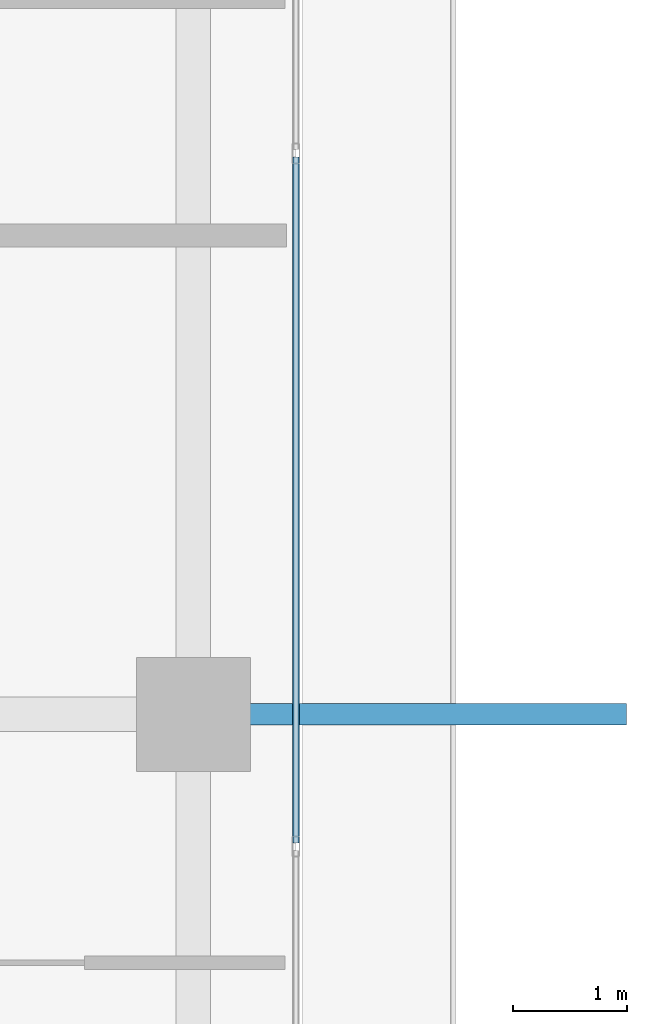
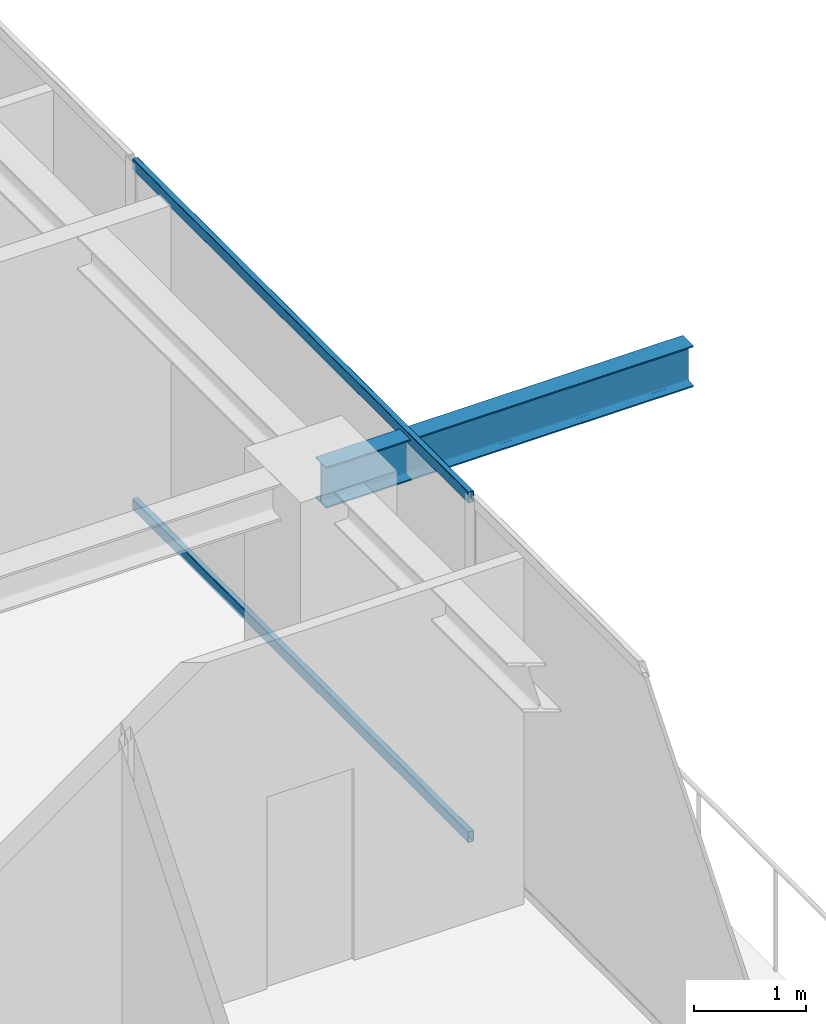
# One storey, part 15 of 37: 2 members, 1 beam, 1 element without a shape of its own.
"""IFC4 building model written with IfcOpenShell, lengths in metres."""

from ifc_helpers import new_model, si_unit, direction, frame, origin, origin_2d, place, context, subcontext, project, spatial, hollow_rectangle, i_section, extrude, source, transform, mapped, material, layer, layer_set, material_profile, profile_set, type_object, element, aggregate, save


model = new_model("IFC4")

# Units and contexts
model_context = context("Model", 3, precision=1e-05, world=origin(), true_north=direction((0.0, 1.0)))
body_context = subcontext(model_context, "Body", "Model", "MODEL_VIEW")
ifc_project = project(units=[si_unit("LENGTHUNIT", "METRE"), si_unit("AREAUNIT", "SQUARE_METRE"), si_unit("VOLUMEUNIT", "CUBIC_METRE"), si_unit("PLANEANGLEUNIT", "RADIAN"), si_unit("MASSUNIT", "GRAM", prefix="KILO")], contexts=[model_context])

# Site, building, storey
site_placement = place(None, origin())
site = spatial("IfcSite", under=ifc_project, at=site_placement, CompositionType="ELEMENT")
building_placement = place(site_placement, origin())
building = spatial("IfcBuilding", under=site, at=building_placement, Name="Serunith Strait Residences", CompositionType="ELEMENT")
storey_placement = place(building_placement, frame((0.0, 0.0, 305.60009765625)))
storey = spatial("IfcBuildingStorey", under=building, at=storey_placement, Name="L76", CompositionType="ELEMENT", Elevation=305.60009765625)

# Beam
ifc_material_1 = material(Name="Steel S355J2", Category="steel")
ifc_material_profile_1 = material_profile(ifc_material_1, i_section(OverallWidth=0.18994140625, OverallDepth=0.449951171875, WebThickness=0.009521484375, FlangeThickness=0.0146484375, FilletRadius=0.02099609375, at=origin_2d()), Name="IPE 450")
ifc_profile_set_1 = profile_set([ifc_material_profile_1], Name="Steel S355J2")
beam_type = type_object("IfcBeamType", Name="BM-IPE450", PredefinedType="JOIST", material=ifc_profile_set_1)
shared_shape_1 = source(origin(), body_context, "Body", "SweptSolid", [
    extrude(i_section(OverallWidth=0.18994140625, OverallDepth=0.449951171875, WebThickness=0.009521484375, FlangeThickness=0.0146484375, FilletRadius=0.02099609375, at=origin_2d()), origin(), (0.0, 0.0, 1.0), 3.800048828125),
])
beam_placement = place(storey_placement, frame((54.699951171875, 29.39990234375, 3.531982421875), z_axis=(1.0, 0.0, 0.0), x_axis=(0.0, 1.0, 0.0)))
element("IfcBeam", 1, at=beam_placement, inside=storey, type_object=beam_type, Name="L77 Cantilevered Balcony Rib TC-E3", PredefinedType="JOIST", context=body_context, shape_type="MappedRepresentation", body=[
    mapped(shared_shape_1, transform((0.0, 0.0, 0.0), scale=1.0)),
])

# Curtain wall, members
ifc_material_2 = material(Name="Brushed Stainless-Silver Aluminium", Category="aluminium")
ifc_layer = layer(ifc_material_2, 0.199951171875, Name="Brushed Stainless-Silver Aluminium")
ifc_layer_set = layer_set([ifc_layer], Name="Brushed Stainless-Silver Aluminium")
curtain_wall_type = type_object("IfcCurtainWallType", Name="CW-SYS5", PredefinedType="NOTDEFINED", material=ifc_layer_set)
curtain_wall_placement = place(storey_placement, origin())
curtain_wall = element("IfcCurtainWall", 2, at=curtain_wall_placement, inside=storey, type_object=curtain_wall_type, Name="L76 E Unitised Fritted Curtain Wall", PredefinedType="NOTDEFINED")
ifc_material_profile_2 = material_profile(ifc_material_2, hollow_rectangle(XDim=0.06005859375, YDim=0.1201171875, WallThickness=0.00341796875, InnerFilletRadius=0.00537109375, OuterFilletRadius=0.0087890625, at=origin_2d()), Name="ALU 120x60x3.5")
ifc_profile_set_2 = profile_set([ifc_material_profile_2], Name="Brushed Stainless-Silver Aluminium")
member_type = type_object("IfcMemberType", Name="CW-SYS5-TRAN", PredefinedType="USERDEFINED", material=ifc_profile_set_2)
shared_shape_2 = source(origin(), body_context, "Body", "SweptSolid", [
    extrude(hollow_rectangle(XDim=0.06005859375, YDim=0.1201171875, WallThickness=0.00341796875, InnerFilletRadius=0.00537109375, OuterFilletRadius=0.0087890625, at=origin_2d()), origin(), (0.0, 0.0, 1.0), 6.01513671875),
])
member_1_placement = place(storey_placement, frame((55.60009765625, 28.2724609375, 0.02978515625), z_axis=(0.0, 1.0, 0.0), x_axis=(-1.0, 0.0, 0.0)))
member_1 = element("IfcMember", 3, at=member_1_placement, type_object=member_type, Name="CW-5 transom 4.1", ObjectType="TRANSOM", PredefinedType="USERDEFINED", context=body_context, shape_type="MappedRepresentation", body=[
    mapped(shared_shape_2, transform((0.0, 0.0, 0.0), scale=1.0)),
])
member_2_placement = place(storey_placement, frame((55.60009765625, 28.2724609375, 3.744873046875), z_axis=(0.0, 1.0, 0.0), x_axis=(-1.0, 0.0, 0.0)))
member_2 = element("IfcMember", 4, at=member_2_placement, type_object=member_type, Name="CW-5 transom 4.2", ObjectType="TRANSOM", PredefinedType="USERDEFINED", context=body_context, shape_type="MappedRepresentation", body=[
    mapped(shared_shape_2, transform((0.0, 0.0, 0.0), scale=1.0)),
])
aggregate(curtain_wall, [member_1, member_2])

save(model, "model.ifc")
